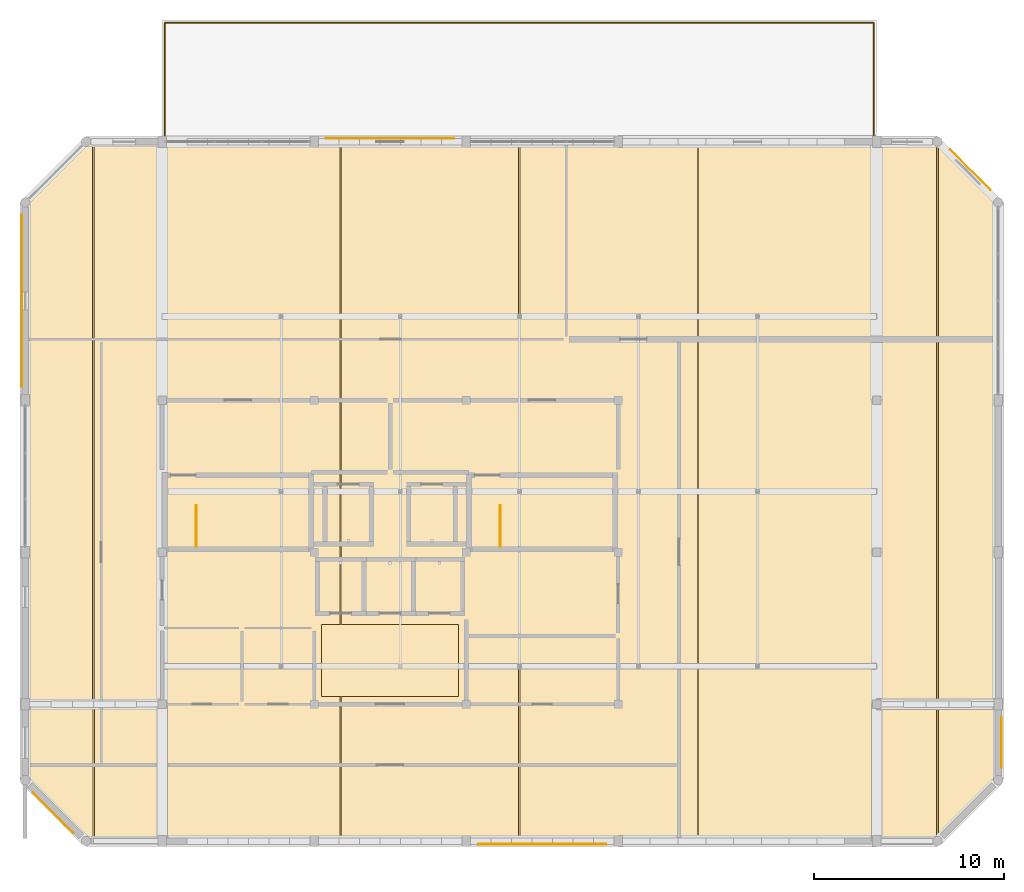
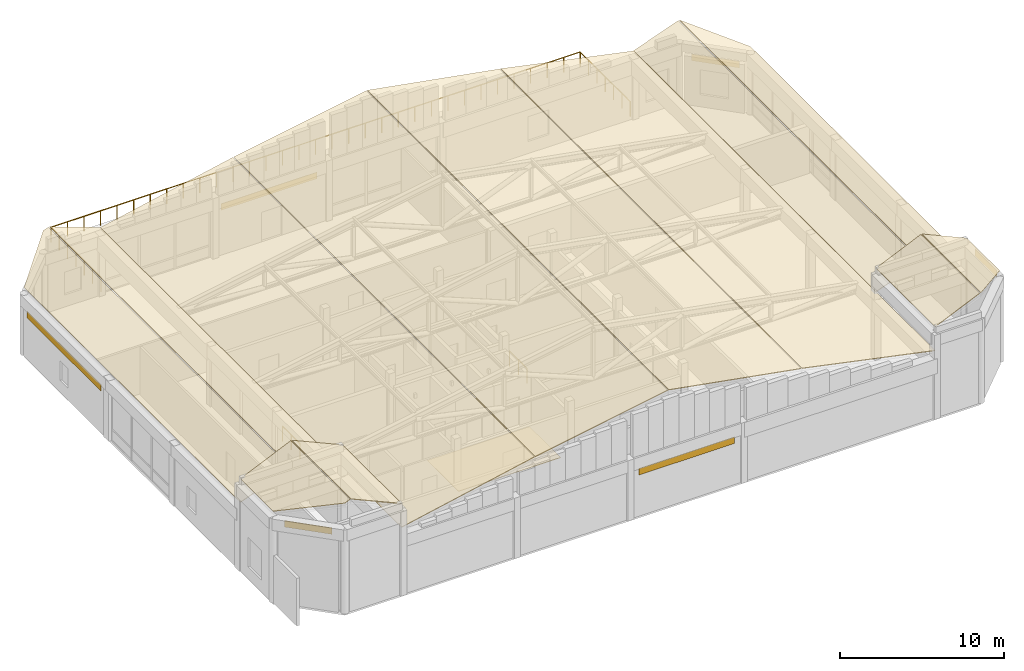
# One storey, part 24 of 24: 20 coverings, 3 railings.
"""IFC4 building model written with IfcOpenShell, lengths in metres."""

import ifcopenshell
import ifcopenshell.guid

model = None  # the IFC model being written
_history = None  # IfcOwnerHistory: only IFC2X3 demands one
_inside = {}  # id of a spatial element -> (the spatial element, [elements in it])
_under = {}  # id of a project, library or spatial element -> (it, [spatial elements below it])
_declared = {}  # id of a project -> (the project, [libraries it declares])
_typed = {}  # id of a type object -> (the type object, [elements of that type])
_made_of = {}  # id of a material, layer set ... -> (it, [elements and type objects made of it])


def new_model(schema):
    """Start an empty IFC model of exactly this schema.

    Asked for "IFC4X3", IfcOpenShell would pick the latest addendum, in which some entities
    have other attributes; the version numbers below select the first issue.
    IFC2X3 requires an IfcOwnerHistory on every rooted entity: one is made here for all.
    """
    global model, _history
    if schema == "IFC4X3":
        model = ifcopenshell.file(schema_version=(4, 3, 0, 0))
    else:
        model = ifcopenshell.file(schema=schema)
    _inside.clear()
    _under.clear()
    _declared.clear()
    _typed.clear()
    _made_of.clear()
    _history = None
    if model.schema == "IFC2X3":
        org = make("IfcOrganization", Name="unknown")
        user = make(
            "IfcPersonAndOrganization",
            ThePerson=make("IfcPerson", FamilyName="unknown"),
            TheOrganization=org,
        )
        app = make(
            "IfcApplication",
            ApplicationDeveloper=org,
            Version="unknown",
            ApplicationFullName="unknown",
            ApplicationIdentifier="unknown",
        )
        _history = make(
            "IfcOwnerHistory",
            OwningUser=user,
            OwningApplication=app,
            ChangeAction="ADDED",
            CreationDate=0,
        )
    return model


def make(cls, **values):
    """One entity of the class cls with the attributes given. An attribute that is None is left unset."""
    return model.create_entity(
        cls, **{name: value for name, value in values.items() if value is not None}
    )


def rooted(cls, **values):
    """An entity with a GlobalId (a new one), such as an element, a storey or a relation."""
    return make(cls, GlobalId=ifcopenshell.guid.new(), OwnerHistory=_history, **values)


def si_unit(unit_type, name, prefix=None):
    """IfcSIUnit, for example si_unit("LENGTHUNIT", "METRE", prefix="MILLI")."""
    return make("IfcSIUnit", UnitType=unit_type, Prefix=prefix, Name=name)


def assignment(units):
    """IfcUnitAssignment: the units of a project."""
    return None if units is None else make("IfcUnitAssignment", Units=units)


def point(xyz):
    """IfcCartesianPoint."""
    return None if xyz is None else make("IfcCartesianPoint", Coordinates=xyz)


def direction(xyz):
    """IfcDirection."""
    return None if xyz is None else make("IfcDirection", DirectionRatios=xyz)


def frame(location, z_axis=None, x_axis=None):
    """IfcAxis2Placement3D, a coordinate frame: its origin and axes. An axis left out is left unset."""
    return make(
        "IfcAxis2Placement3D",
        Location=point(location),
        Axis=direction(z_axis),
        RefDirection=direction(x_axis),
    )


def frame_2d(location, x_axis=None):
    """IfcAxis2Placement2D, a coordinate frame in the plane: its origin and x axis."""
    return make(
        "IfcAxis2Placement2D", Location=point(location), RefDirection=direction(x_axis)
    )


def origin():
    """The frame at (0, 0, 0) with its axes left unset."""
    return frame((0.0, 0.0, 0.0))


def origin_2d():
    """The frame at (0, 0) in the plane with its x axis left unset."""
    return frame_2d((0.0, 0.0))


def place(relative_to, where):
    """IfcLocalPlacement: puts the frame where relative to a parent placement (None: the world)."""
    return make(
        "IfcLocalPlacement", PlacementRelTo=relative_to, RelativePlacement=where
    )


def context(
    kind, dimensions, precision=None, world=None, true_north=None, identifier=None
):
    """IfcGeometricRepresentationContext, for example the 3D "Model" context."""
    return make(
        "IfcGeometricRepresentationContext",
        ContextIdentifier=identifier,
        ContextType=kind,
        CoordinateSpaceDimension=dimensions,
        Precision=precision,
        WorldCoordinateSystem=world,
        TrueNorth=true_north,
    )


def subcontext(parent, identifier, kind, view, scale=None):
    """IfcGeometricRepresentationSubContext, for example "Body" below "Model"."""
    return make(
        "IfcGeometricRepresentationSubContext",
        ContextIdentifier=identifier,
        ContextType=kind,
        ParentContext=parent,
        TargetScale=scale,
        TargetView=view,
    )


def project(units=None, contexts=None):
    """IfcProject with its units and contexts."""
    return rooted(
        "IfcProject",
        Name="project",
        RepresentationContexts=contexts,
        UnitsInContext=assignment(units),
    )


def spatial(cls, under=None, at=None, **own):
    """A site, building, storey or space (cls), placed at a placement, below another one or the project."""
    s = rooted(cls, ObjectPlacement=at, **own)
    if under is not None:
        _under.setdefault(under.id(), (under, []))[1].append(s)
    return s


def polyline(points):
    """IfcPolyline through the points."""
    return make("IfcPolyline", Points=[point(p) for p in points])


def profile(cls, at=None, kind="AREA", **sizes):
    """A parametric profile (cls). Its sizes go by their IFC names, for example OverallWidth=200.0."""
    return make(cls, ProfileType=kind, Position=at, **sizes)


def circle(**sizes):
    """IfcCircleProfileDef."""
    return profile("IfcCircleProfileDef", **sizes)


def outline(outer, holes=None, kind="AREA"):
    """IfcArbitraryClosedProfileDef: a profile drawn as a closed curve; with holes, ...WithVoids."""
    if holes is None:
        return make("IfcArbitraryClosedProfileDef", ProfileType=kind, OuterCurve=outer)
    return make(
        "IfcArbitraryProfileDefWithVoids",
        ProfileType=kind,
        OuterCurve=outer,
        InnerCurves=holes,
    )


def extrude(swept, where, along, depth):
    """IfcExtrudedAreaSolid: the profile swept, set in the frame where, extruded along a direction by depth."""
    return make(
        "IfcExtrudedAreaSolid",
        SweptArea=swept,
        Position=where,
        ExtrudedDirection=direction(along),
        Depth=depth,
    )


def shape(context_of_items, identifier, shape_type, items):
    """IfcShapeRepresentation: the items that make up one representation, for example the "Body"."""
    return make(
        "IfcShapeRepresentation",
        ContextOfItems=context_of_items,
        RepresentationIdentifier=identifier,
        RepresentationType=shape_type,
        Items=items,
    )


def material(Name=None, Category=None):
    """IfcMaterial."""
    return make("IfcMaterial", Name=Name, Category=Category)


def layer(
    of_material, thickness, ventilated=None, Name=None, Category=None, Priority=None
):
    """IfcMaterialLayer: one layer of a wall or slab, of a material (None: an air gap)."""
    return make(
        "IfcMaterialLayer",
        Material=of_material,
        LayerThickness=thickness,
        IsVentilated=ventilated,
        Name=Name,
        Category=Category,
        Priority=Priority,
    )


def layer_set(layers, Name=None):
    """IfcMaterialLayerSet."""
    return make("IfcMaterialLayerSet", MaterialLayers=layers, LayerSetName=Name)


def made_of(thing, what):
    """Note that an element or type object is made of a material, layer set ...; save() writes the relation."""
    if what is not None:
        _made_of.setdefault(what.id(), (what, []))[1].append(thing)
    return thing


def type_object(cls, material=None, **own):
    """A type object (cls), such as IfcWallType, which elements share."""
    return made_of(rooted(cls, **own), material)


def element(
    cls,
    number,
    at=None,
    inside=None,
    cuts=None,
    type_object=None,
    material=None,
    context=None,
    identifier="Body",
    shape_type=None,
    held_by="IfcProductDefinitionShape",
    body=None,
    shapes=None,
    **own,
):
    """One element of the class cls, such as IfcWall. Its Tag is "e" and its number.

    at: its placement. inside: the storey or other place that contains it. cuts: it is an
    opening in that element (IfcRelVoidsElement). A single representation is given by context,
    identifier, shape_type and body (its items); several are given by shapes. held_by: the class
    of the entity that holds the representations. save() writes the other relations.
    """
    e = rooted(cls, Tag="e%d" % number, ObjectPlacement=at, **own)
    if body is not None:
        shapes = [shape(context, identifier, shape_type, body)]
    if shapes is not None:
        e.Representation = make(held_by, Representations=shapes)
    if inside is not None:
        _inside.setdefault(inside.id(), (inside, []))[1].append(e)
    if cuts is not None:
        rooted(
            "IfcRelVoidsElement", RelatingBuildingElement=cuts, RelatedOpeningElement=e
        )
    if type_object is not None:
        _typed.setdefault(type_object.id(), (type_object, []))[1].append(e)
    return made_of(e, material)


def aggregate(whole, parts):
    """IfcRelAggregates: a whole, such as a stair, and the parts it consists of."""
    return rooted("IfcRelAggregates", RelatingObject=whole, RelatedObjects=parts)


def save(model, path):
    """Write the relations noted so far, then the file.

    IfcRelAggregates (storeys below a building ...), IfcRelContainedInSpatialStructure (elements
    in a storey), IfcRelDefinesByType, IfcRelAssociatesMaterial and IfcRelDeclares: one each for
    every whole, place, type object, material and project.
    """
    for whole, parts in _under.values():
        aggregate(whole, parts)
    for where, things in _inside.values():
        rooted(
            "IfcRelContainedInSpatialStructure",
            RelatedElements=things,
            RelatingStructure=where,
        )
    for kind, things in _typed.values():
        rooted("IfcRelDefinesByType", RelatedObjects=things, RelatingType=kind)
    for what, things in _made_of.values():
        rooted("IfcRelAssociatesMaterial", RelatedObjects=things, RelatingMaterial=what)
    for by, libraries in _declared.values():
        rooted("IfcRelDeclares", RelatingContext=by, RelatedDefinitions=libraries)
    model.write(path)


model = new_model("IFC4")

# Units and contexts
model_context = context("Model", 3, precision=1e-05, world=origin(), true_north=direction((0.0, 1.0)))
body_context = subcontext(model_context, "Body", "Model", "MODEL_VIEW")
ifc_project = project(units=[si_unit("LENGTHUNIT", "METRE"), si_unit("AREAUNIT", "SQUARE_METRE"), si_unit("VOLUMEUNIT", "CUBIC_METRE"), si_unit("PLANEANGLEUNIT", "RADIAN"), si_unit("MASSUNIT", "GRAM", prefix="KILO")], contexts=[model_context])

# Site, building, storey
site_placement = place(None, origin())
site = spatial("IfcSite", under=ifc_project, at=site_placement, CompositionType="ELEMENT")
building_placement = place(site_placement, origin())
building = spatial("IfcBuilding", under=site, at=building_placement, Name="Vellmiral Cinema and Media Centre", CompositionType="ELEMENT")
storey_placement = place(building_placement, frame((0.0, 0.0, 66.60009765625)))
storey = spatial("IfcBuildingStorey", under=building, at=storey_placement, Name="L16", CompositionType="ELEMENT", Elevation=66.60009765625)

# Coverings
ifc_material_1 = material(Name="Micro-Perforated Acoustic Gypsum Ceiling")
ifc_layer_1 = layer(ifc_material_1, 0.0400390625, Name="Micro-Perforated Acoustic Gypsum Ceiling")
ifc_layer_set_1 = layer_set([ifc_layer_1], Name="Micro-Perforated Acoustic Gypsum Ceiling")
covering_type_1 = type_object("IfcCoveringType", Name="COV-AC-CEILING", PredefinedType="CEILING", material=ifc_layer_set_1)
covering_1_placement = place(storey_placement, frame((0.0, 0.0, 3.4599609375)))
element("IfcCovering", 1, at=covering_1_placement, inside=storey, type_object=covering_type_1, Name="Acoustic Lobby Ceiling L16", PredefinedType="CEILING", context=body_context, shape_type="SweptSolid", body=[
    extrude(outline(polyline([(132.39990234375, 79.60009765625), (139.60009765625, 79.60009765625), (139.60009765625, 83.39990234375), (132.39990234375, 83.39990234375), (132.39990234375, 79.60009765625)])), origin(), (0.0, 0.0, 1.0), 0.0400390625),
])
ifc_material_2 = material(Name="Honed Terrazzo Acoustic Floor Finish")
ifc_layer_2 = layer(ifc_material_2, 0.030029296875, Name="Honed Terrazzo Acoustic Floor Finish")
ifc_layer_set_2 = layer_set([ifc_layer_2], Name="Honed Terrazzo Acoustic Floor Finish")
covering_type_2 = type_object("IfcCoveringType", Name="COV-TERR-FLOORING", PredefinedType="FLOORING", material=ifc_layer_set_2)
covering_2_placement = place(storey_placement, origin())
element("IfcCovering", 2, at=covering_2_placement, inside=storey, type_object=covering_type_2, Name="Terrazzo Lobby Flooring L16", PredefinedType="FLOORING", context=body_context, shape_type="SweptSolid", body=[
    extrude(outline(polyline([(132.39990234375, 79.60009765625), (139.60009765625, 79.60009765625), (139.60009765625, 83.39990234375), (132.39990234375, 83.39990234375), (132.39990234375, 79.60009765625)])), origin(), (0.0, 0.0, 1.0), 0.02978515625),
])
ifc_material_3 = material(Name="Polychrome Trencadis Ceramic Mosaic")
ifc_layer_3 = layer(ifc_material_3, 0.034912109375, Name="Polychrome Trencadis Ceramic Mosaic")
ifc_layer_set_3 = layer_set([ifc_layer_3], Name="Polychrome Trencadis Ceramic Mosaic")
covering_type_3 = type_object("IfcCoveringType", Name="COV-TRENCADIS-CLAD", PredefinedType="CLADDING", material=ifc_layer_set_3)
covering_3_placement = place(storey_placement, frame((0.0, 0.0, 3.079833984375)))
element("IfcCovering", 3, at=covering_3_placement, inside=storey, type_object=covering_type_3, Name="Trencadis Spandrel Mosaic L16-004", PredefinedType="CLADDING", context=body_context, shape_type="SweptSolid", body=[
    extrude(outline(polyline([(140.625, 71.81201171875), (147.375, 71.81201171875), (147.375, 71.846923828125), (140.625, 71.846923828125), (140.625, 71.81201171875)])), origin(), (0.0, 0.0, 1.0), 0.47998046875),
])
covering_4_placement = place(storey_placement, frame((0.0, 0.0, 5.760009765625)))
element("IfcCovering", 4, at=covering_4_placement, inside=storey, type_object=covering_type_3, Name="Trencadis Spandrel Mosaic L16-008", PredefinedType="CLADDING", context=body_context, shape_type="SweptSolid", body=[
    extrude(outline(polyline([(168.18798828125, 75.85009765625), (168.18798828125, 78.5), (168.153076171875, 78.5), (168.153076171875, 75.85009765625), (168.18798828125, 75.85009765625)])), origin(), (0.0, 0.0, 1.0), 0.47998046875),
])
covering_5_placement = place(storey_placement, frame((0.0, 0.0, 3.099853515625)))
element("IfcCovering", 5, at=covering_5_placement, inside=storey, type_object=covering_type_3, Name="Trencadis Spandrel Mosaic L16-012", PredefinedType="CLADDING", context=body_context, shape_type="SweptSolid", body=[
    extrude(outline(polyline([(167.60009765625, 106.265869140625), (165.4658203125, 108.400146484375), (165.44091796875, 108.375244140625), (167.575439453125, 106.240966796875), (167.60009765625, 106.265869140625)])), origin(), (0.0, 0.0, 1.0), 0.47998046875),
])
covering_6_placement = place(storey_placement, frame((0.0, 0.0, 3.079833984375)))
element("IfcCovering", 6, at=covering_6_placement, inside=storey, type_object=covering_type_3, Name="Trencadis Spandrel Mosaic L16-016", PredefinedType="CLADDING", context=body_context, shape_type="SweptSolid", body=[
    extrude(outline(polyline([(139.375, 108.988037109375), (132.625, 108.988037109375), (132.625, 108.952880859375), (139.375, 108.952880859375), (139.375, 108.988037109375)])), origin(), (0.0, 0.0, 1.0), 0.47998046875),
])
covering_7_placement = place(storey_placement, frame((0.0, 0.0, 3.1298828125)))
element("IfcCovering", 7, at=covering_7_placement, inside=storey, type_object=covering_type_3, Name="Trencadis Spandrel Mosaic L16-020", PredefinedType="CLADDING", context=body_context, shape_type="SweptSolid", body=[
    extrude(outline(polyline([(116.612060546875, 104.949951171875), (116.612060546875, 95.89990234375), (116.64697265625, 95.89990234375), (116.64697265625, 104.949951171875), (116.612060546875, 104.949951171875)])), origin(), (0.0, 0.0, 1.0), 0.47998046875),
])
covering_8_placement = place(storey_placement, frame((0.0, 0.0, 5.760009765625)))
element("IfcCovering", 8, at=covering_8_placement, inside=storey, type_object=covering_type_3, Name="Trencadis Spandrel Mosaic L16-024", PredefinedType="CLADDING", context=body_context, shape_type="SweptSolid", body=[
    extrude(outline(polyline([(117.199951171875, 74.5341796875), (119.334228515625, 72.39990234375), (119.35888671875, 72.424560546875), (117.224609375, 74.55908203125), (117.199951171875, 74.5341796875)])), origin(), (0.0, 0.0, 1.0), 0.47998046875),
])
ifc_material_4 = material(Name="Glazed Catalan Ceramic Roof Tile")
ifc_layer_4 = layer(ifc_material_4, 0.044921875, Name="Glazed Catalan Ceramic Roof Tile")
ifc_layer_set_4 = layer_set([ifc_layer_4], Name="Glazed Catalan Ceramic Roof Tile")
covering_type_4 = type_object("IfcCoveringType", Name="COV-VAULT-ROOFING", PredefinedType="ROOFING", material=ifc_layer_set_4)
covering_9_placement = place(storey_placement, frame((124.0, 72.0, 4.913330078125), z_axis=(-0.204517573391, 0.0, 0.978862892429), x_axis=(0.978862892429, 0.0, 0.204517573391)))
element("IfcCovering", 9, at=covering_9_placement, inside=storey, type_object=covering_type_4, Name="Tower Crown Catalan Barrel Vault Catalan Ceramic Vault Roofing A1", PredefinedType="ROOFING", context=body_context, shape_type="SweptSolid", body=[
    extrude(outline(polyline([(0.0, 0.0), (9.570206404117352, 0.0), (9.570206404117352, 36.80004882812501), (0.0, 36.80004882812501), (0.0, 0.0)])), origin(), (0.0, 0.0, -1.0), 0.044921875),
])
for number, where, z_axis, x_axis, name in (
    (10, (133.431884765625, 72.0, 6.875244140625), (-0.177070196507, 0.0, 0.984198224703), (0.984198224703, 0.0, 0.177070196507), "Tower Crown Catalan Barrel Vault Catalan Ceramic Vault Roofing A2"),
    (11, (142.8359375, 72.0, 8.55419921875), (0.177070196507, 0.0, 0.984198224703), (0.984198224703, 0.0, -0.177070196507), "Tower Crown Catalan Barrel Vault Catalan Ceramic Vault Roofing B2"),
):
    element("IfcCovering", number, at=place(storey_placement, frame(where, z_axis=z_axis, x_axis=x_axis)), inside=storey, type_object=covering_type_4, Name=name, PredefinedType="ROOFING", context=body_context, shape_type="SweptSolid", body=[
        extrude(outline(polyline([(0.0, 0.0), (9.481861494735002, 0.0), (9.481861494735002, 36.80004882812501), (0.0, 36.80004882812501), (0.0, 0.0)])), origin(), (0.0, 0.0, -1.0), 0.044921875),
    ])
covering_10_placement = place(storey_placement, frame((152.23193359375, 72.0, 6.87060546875), z_axis=(0.204512466453, 0.0, 0.978863959427), x_axis=(0.978863959427, 0.0, -0.204512466453)))
element("IfcCovering", 12, at=covering_10_placement, inside=storey, type_object=covering_type_4, Name="Tower Crown Catalan Barrel Vault Catalan Ceramic Vault Roofing B1", PredefinedType="ROOFING", context=body_context, shape_type="SweptSolid", body=[
    extrude(outline(polyline([(0.0, 0.0), (9.570445384445948, 0.0), (9.570445384445948, 36.800048828125), (0.0, 36.800048828125), (0.0, 0.0)])), origin(), (0.0, 0.0, -1.0), 0.044921875),
])
covering_11_placement = place(storey_placement, frame((116.800048828125, 79.199951171875, 4.930908203125), z_axis=(-0.341989440922, -3.592829e-06, 0.939703794972), x_axis=(0.939703794978, 1.1e-11, 0.341989440924)))
element("IfcCovering", 13, at=covering_11_placement, inside=storey, type_object=covering_type_4, Name="Tower Crown West Gallery Vault Catalan Ceramic Vault Roofing A", PredefinedType="ROOFING", context=body_context, shape_type="SweptSolid", body=[
    extrude(outline(polyline([(0.0, 0.0), (3.774984449374955, -8.470329472543003e-22), (3.7749844496988425, 29.600097656058956), (3.4053538244030097, 29.600097656785874), (2.8887350788737025e-10, 26.40014648420461), (0.0, 0.0)])), origin(), (0.0, 0.0, -1.0), 0.044921875),
])
covering_12_placement = place(storey_placement, frame((120.45263671875, 79.199951171875, 6.221923828125), z_axis=(0.341992302831, 0.0, 0.93970275343), x_axis=(0.93970275343, 0.0, -0.341992302831)))
element("IfcCovering", 14, at=covering_12_placement, inside=storey, type_object=covering_type_4, Name="Tower Crown West Gallery Vault Catalan Ceramic Vault Roofing B", PredefinedType="ROOFING", context=body_context, shape_type="SweptSolid", body=[
    extrude(outline(polyline([(0.0, 0.0), (3.774984449392462, 0.0), (3.774984449392462, 29.60009765625), (0.0, 29.60009765625), (0.0, 0.0)])), origin(), (0.0, 0.0, -1.0), 0.044921875),
])
covering_13_placement = place(storey_placement, frame((161.60009765625, 79.199951171875, 4.930908203125), z_axis=(-0.342023986742, 0.0, 0.939691221888), x_axis=(0.939691221888, 0.0, 0.342023986742)))
element("IfcCovering", 15, at=covering_13_placement, inside=storey, type_object=covering_type_4, Name="Tower Crown East Gallery Vault Catalan Ceramic Vault Roofing A", PredefinedType="ROOFING", context=body_context, shape_type="SweptSolid", body=[
    extrude(outline(polyline([(0.0, 0.0), (3.349203146276838, 0.0), (3.349203146276838, 29.60009765625), (0.0, 29.60009765625), (0.0, 0.0)])), origin(), (0.0, 0.0, -1.0), 0.044921875),
])
covering_14_placement = place(storey_placement, frame((164.8525390625, 79.199951171875, 6.076416015625), z_axis=(0.342000559967, 0.0, 0.939699748315), x_axis=(0.939699748315, 0.0, -0.342000559967)))
element("IfcCovering", 16, at=covering_14_placement, inside=storey, type_object=covering_type_4, Name="Tower Crown East Gallery Vault Catalan Ceramic Vault Roofing B", PredefinedType="ROOFING", context=body_context, shape_type="SweptSolid", body=[
    extrude(outline(polyline([(0.0, 0.0), (3.3494325641199163, 0.0), (3.3494325641199163, 26.400146484375), (0.0, 29.60009765625), (0.0, 0.0)])), origin(), (0.0, 0.0, -1.0), 0.044921875),
])
covering_15_placement = place(storey_placement, frame((120.0, 72.0, 8.10400390625), z_axis=(-0.406724772431, -6.324111e-06, 0.91355074268), x_axis=(0.913550742698, 1.143e-09, 0.406724772439)))
element("IfcCovering", 17, at=covering_15_placement, inside=storey, type_object=covering_type_4, Name="Torratxa Turret Ceramic Roofing SW-A", PredefinedType="ROOFING", context=body_context, shape_type="SweptSolid", body=[
    extrude(outline(polyline([(0.0, 0.0), (0.3918107092769133, 2.117582368135751e-22), (0.3918107175082114, 7.199951171731022), (-3.5027218256864145, 7.199951176311401), (-3.5027218302593885, 3.19995117639139), (0.0, 0.0)])), origin(), (0.0, 0.0, -1.0), 0.044921875),
])
covering_16_placement = place(storey_placement, frame((120.44189453125, 72.0, 8.263427734375), z_axis=(0.40669673424, 0.0, 0.913563225157), x_axis=(0.913563225157, 0.0, -0.40669673424)))
element("IfcCovering", 18, at=covering_16_placement, inside=storey, type_object=covering_type_4, Name="Torratxa Turret Ceramic Roofing SW-B", PredefinedType="ROOFING", context=body_context, shape_type="SweptSolid", body=[
    extrude(outline(polyline([(0.0, 0.0), (3.8947555798782547, 0.0), (3.8947555798782547, 7.199951171875), (0.0, 7.199951171875), (0.0, 0.0)])), origin(), (0.0, 0.0, -1.0), 0.044921875),
])
covering_17_placement = place(storey_placement, frame((161.60009765625, 72.0, 6.679443359375), z_axis=(-0.40673469537, 0.0, 0.913546324815), x_axis=(0.913546324815, 0.0, 0.40673469537)))
element("IfcCovering", 19, at=covering_17_placement, inside=storey, type_object=covering_type_4, Name="Torratxa Turret Ceramic Roofing SE-A", PredefinedType="ROOFING", context=body_context, shape_type="SweptSolid", body=[
    extrude(outline(polyline([(0.0, 0.0), (3.4568131889923723, 0.0), (3.4568131889923723, 7.199951171875002), (0.0, 7.199951171875002), (0.0, 0.0)])), origin(), (0.0, 0.0, -1.0), 0.044921875),
])
covering_18_placement = place(storey_placement, frame((164.842041015625, 72.0, 8.08544921875), z_axis=(0.40673469537, 0.0, 0.913546324815), x_axis=(0.67040187938, 0.679316384464, -0.298480434739)))
element("IfcCovering", 20, at=covering_18_placement, inside=storey, type_object=covering_type_4, Name="Torratxa Turret Ceramic Roofing SE-B", PredefinedType="ROOFING", context=body_context, shape_type="SweptSolid", body=[
    extrude(outline(polyline([(0.0, 0.0), (4.710546138822526, 3.885780586188048e-16), (7.4278116766778695, 2.935382087017585), (4.891044798394283, 5.283651924330786), (0.0, 0.0)])), origin(), (0.0, 0.0, -1.0), 0.044921875),
])

# Railings
ifc_material_5 = material(Name="Forged Wrought-Iron Whiplash Balustrade", Category="steel")
railing_type_1 = type_object("IfcRailingType", Name="RL-BAL-WROUGHT-1120", PredefinedType="BALUSTRADE", material=ifc_material_5)
railing_placement = place(storey_placement, frame((124.14990234375, 108.949951171875, 0.0)))
element("IfcRailing", 21, at=railing_placement, inside=storey, type_object=railing_type_1, Name="Terrace Wrought-Iron Balustrade RL-TERR-L16-NORTH", PredefinedType="BALUSTRADE", context=body_context, shape_type="SweptSolid", body=[
    extrude(circle(Radius=0.02392578125, at=origin_2d()), frame((0.0, 0.0, 1.09619140625), z_axis=(0.0, 1.0, 0.0), x_axis=(-1.0, 0.0, 0.0)), (0.0, 0.0, 1.0), 6.10009765625),
    extrude(circle(Radius=0.02392578125, at=origin_2d()), frame((0.0, 6.10009765625, 1.09619140625), z_axis=(1.0, 0.0, 0.0), x_axis=(0.0, 1.0, 0.0)), (0.0, 0.0, 1.0), 37.300048828125),
    extrude(circle(Radius=0.02392578125, at=origin_2d()), frame((37.300048828125, 6.10009765625, 1.09619140625), z_axis=(0.0, -1.0, 0.0), x_axis=(1.0, 0.0, 0.0)), (0.0, 0.0, 1.0), 6.10009765625),
    extrude(circle(Radius=0.02099609375, at=origin_2d()), origin(), (0.0, 0.0, 1.0), 1.072021484375),
    extrude(circle(Radius=0.02099609375, at=origin_2d()), frame((0.0, 1.0166015625, 0.0)), (0.0, 0.0, 1.0), 1.072021484375),
    extrude(circle(Radius=0.02099609375, at=origin_2d()), frame((0.0, 2.033447265625, 0.0)), (0.0, 0.0, 1.0), 1.072021484375),
    extrude(circle(Radius=0.02099609375, at=origin_2d()), frame((0.0, 3.050048828125, 0.0)), (0.0, 0.0, 1.0), 1.072021484375),
    extrude(circle(Radius=0.02099609375, at=origin_2d()), frame((0.0, 4.066650390625, 0.0)), (0.0, 0.0, 1.0), 1.072021484375),
    extrude(circle(Radius=0.02099609375, at=origin_2d()), frame((0.0, 5.08349609375, 0.0)), (0.0, 0.0, 1.0), 1.072021484375),
    extrude(circle(Radius=0.02099609375, at=origin_2d()), frame((0.0, 6.10009765625, 0.0)), (0.0, 0.0, 1.0), 1.072021484375),
    extrude(circle(Radius=0.02099609375, at=origin_2d()), frame((1.16552734375, 6.10009765625, 0.0)), (0.0, 0.0, 1.0), 1.072021484375),
    extrude(circle(Radius=0.02099609375, at=origin_2d()), frame((2.331298828125, 6.10009765625, 0.0)), (0.0, 0.0, 1.0), 1.072021484375),
    extrude(circle(Radius=0.02099609375, at=origin_2d()), frame((3.496826171875, 6.10009765625, 0.0)), (0.0, 0.0, 1.0), 1.072021484375),
    extrude(circle(Radius=0.02099609375, at=origin_2d()), frame((4.66259765625, 6.10009765625, 0.0)), (0.0, 0.0, 1.0), 1.072021484375),
    extrude(circle(Radius=0.02099609375, at=origin_2d()), frame((5.828125, 6.10009765625, 0.0)), (0.0, 0.0, 1.0), 1.072021484375),
    extrude(circle(Radius=0.02099609375, at=origin_2d()), frame((6.99365234375, 6.10009765625, 0.0)), (0.0, 0.0, 1.0), 1.072021484375),
    extrude(circle(Radius=0.02099609375, at=origin_2d()), frame((8.159423828125, 6.10009765625, 0.0)), (0.0, 0.0, 1.0), 1.072021484375),
    extrude(circle(Radius=0.02099609375, at=origin_2d()), frame((9.324951171875, 6.10009765625, 0.0)), (0.0, 0.0, 1.0), 1.072021484375),
    extrude(circle(Radius=0.02099609375, at=origin_2d()), frame((10.49072265625, 6.10009765625, 0.0)), (0.0, 0.0, 1.0), 1.072021484375),
    extrude(circle(Radius=0.02099609375, at=origin_2d()), frame((11.65625, 6.10009765625, 0.0)), (0.0, 0.0, 1.0), 1.072021484375),
    extrude(circle(Radius=0.02099609375, at=origin_2d()), frame((12.82177734375, 6.10009765625, 0.0)), (0.0, 0.0, 1.0), 1.072021484375),
    extrude(circle(Radius=0.02099609375, at=origin_2d()), frame((13.987548828125, 6.10009765625, 0.0)), (0.0, 0.0, 1.0), 1.072021484375),
    extrude(circle(Radius=0.02099609375, at=origin_2d()), frame((15.153076171875, 6.10009765625, 0.0)), (0.0, 0.0, 1.0), 1.072021484375),
    extrude(circle(Radius=0.02099609375, at=origin_2d()), frame((16.31884765625, 6.10009765625, 0.0)), (0.0, 0.0, 1.0), 1.072021484375),
    extrude(circle(Radius=0.02099609375, at=origin_2d()), frame((17.484375, 6.10009765625, 0.0)), (0.0, 0.0, 1.0), 1.072021484375),
    extrude(circle(Radius=0.02099609375, at=origin_2d()), frame((18.64990234375, 6.10009765625, 0.0)), (0.0, 0.0, 1.0), 1.072021484375),
    extrude(circle(Radius=0.02099609375, at=origin_2d()), frame((19.815673828125, 6.10009765625, 0.0)), (0.0, 0.0, 1.0), 1.072021484375),
    extrude(circle(Radius=0.02099609375, at=origin_2d()), frame((20.981201171875, 6.10009765625, 0.0)), (0.0, 0.0, 1.0), 1.072021484375),
    extrude(circle(Radius=0.02099609375, at=origin_2d()), frame((22.14697265625, 6.10009765625, 0.0)), (0.0, 0.0, 1.0), 1.072021484375),
    extrude(circle(Radius=0.02099609375, at=origin_2d()), frame((23.3125, 6.10009765625, 0.0)), (0.0, 0.0, 1.0), 1.072021484375),
    extrude(circle(Radius=0.02099609375, at=origin_2d()), frame((24.478271484375, 6.10009765625, 0.0)), (0.0, 0.0, 1.0), 1.072021484375),
    extrude(circle(Radius=0.02099609375, at=origin_2d()), frame((25.643798828125, 6.10009765625, 0.0)), (0.0, 0.0, 1.0), 1.072021484375),
    extrude(circle(Radius=0.02099609375, at=origin_2d()), frame((26.809326171875, 6.10009765625, 0.0)), (0.0, 0.0, 1.0), 1.072021484375),
    extrude(circle(Radius=0.02099609375, at=origin_2d()), frame((27.97509765625, 6.10009765625, 0.0)), (0.0, 0.0, 1.0), 1.072021484375),
    extrude(circle(Radius=0.02099609375, at=origin_2d()), frame((29.140625, 6.10009765625, 0.0)), (0.0, 0.0, 1.0), 1.072021484375),
    extrude(circle(Radius=0.02099609375, at=origin_2d()), frame((30.306396484375, 6.10009765625, 0.0)), (0.0, 0.0, 1.0), 1.072021484375),
    extrude(circle(Radius=0.02099609375, at=origin_2d()), frame((31.471923828125, 6.10009765625, 0.0)), (0.0, 0.0, 1.0), 1.072021484375),
    extrude(circle(Radius=0.02099609375, at=origin_2d()), frame((32.637451171875, 6.10009765625, 0.0)), (0.0, 0.0, 1.0), 1.072021484375),
    extrude(circle(Radius=0.02099609375, at=origin_2d()), frame((33.80322265625, 6.10009765625, 0.0)), (0.0, 0.0, 1.0), 1.072021484375),
    extrude(circle(Radius=0.02099609375, at=origin_2d()), frame((34.96875, 6.10009765625, 0.0)), (0.0, 0.0, 1.0), 1.072021484375),
    extrude(circle(Radius=0.02099609375, at=origin_2d()), frame((36.134521484375, 6.10009765625, 0.0)), (0.0, 0.0, 1.0), 1.072021484375),
    extrude(circle(Radius=0.02099609375, at=origin_2d()), frame((37.300048828125, 6.10009765625, 0.0)), (0.0, 0.0, 1.0), 1.072021484375),
    extrude(circle(Radius=0.02099609375, at=origin_2d()), frame((37.300048828125, 5.08349609375, 0.0)), (0.0, 0.0, 1.0), 1.072021484375),
    extrude(circle(Radius=0.02099609375, at=origin_2d()), frame((37.300048828125, 4.066650390625, 0.0)), (0.0, 0.0, 1.0), 1.072021484375),
    extrude(circle(Radius=0.02099609375, at=origin_2d()), frame((37.300048828125, 3.050048828125, 0.0)), (0.0, 0.0, 1.0), 1.072021484375),
    extrude(circle(Radius=0.02099609375, at=origin_2d()), frame((37.300048828125, 2.033447265625, 0.0)), (0.0, 0.0, 1.0), 1.072021484375),
    extrude(circle(Radius=0.02099609375, at=origin_2d()), frame((37.300048828125, 1.0166015625, 0.0)), (0.0, 0.0, 1.0), 1.072021484375),
    extrude(circle(Radius=0.02099609375, at=origin_2d()), frame((37.300048828125, 0.0, 0.0)), (0.0, 0.0, 1.0), 1.072021484375),
])
ifc_material_6 = material(Name="Painted Steel Stair Guardrail", Category="steel")
railing_type_2 = type_object("IfcRailingType", Name="RL-STAIR-GUARD-1120", PredefinedType="GUARDRAIL", material=ifc_material_6)
for number, where, name in (
    (22, (125.800048828125, 87.5, 0.0), "Top-Landing Stairwell Guard ST-T1 L16"),
    (23, (141.800048828125, 87.5, 0.0), "Top-Landing Stairwell Guard ST-T2 L16"),
):
    element("IfcRailing", number, at=place(storey_placement, frame(where)), inside=storey, type_object=railing_type_2, Name=name, PredefinedType="GUARDRAIL", context=body_context, shape_type="SweptSolid", body=[
        extrude(circle(Radius=0.02392578125, at=origin_2d()), frame((0.0, 0.0, 1.09619140625), z_axis=(0.0, 1.0, 0.0), x_axis=(-1.0, 0.0, 0.0)), (0.0, 0.0, 1.0), 2.139892578125),
        extrude(circle(Radius=0.02099609375, at=origin_2d()), origin(), (0.0, 0.0, 1.0), 1.072021484375),
        extrude(circle(Radius=0.02099609375, at=origin_2d()), frame((0.0, 1.06982421875, 0.0)), (0.0, 0.0, 1.0), 1.072021484375),
        extrude(circle(Radius=0.02099609375, at=origin_2d()), frame((0.0, 2.139892578125, 0.0)), (0.0, 0.0, 1.0), 1.072021484375),
    ])

save(model, "model.ifc")
